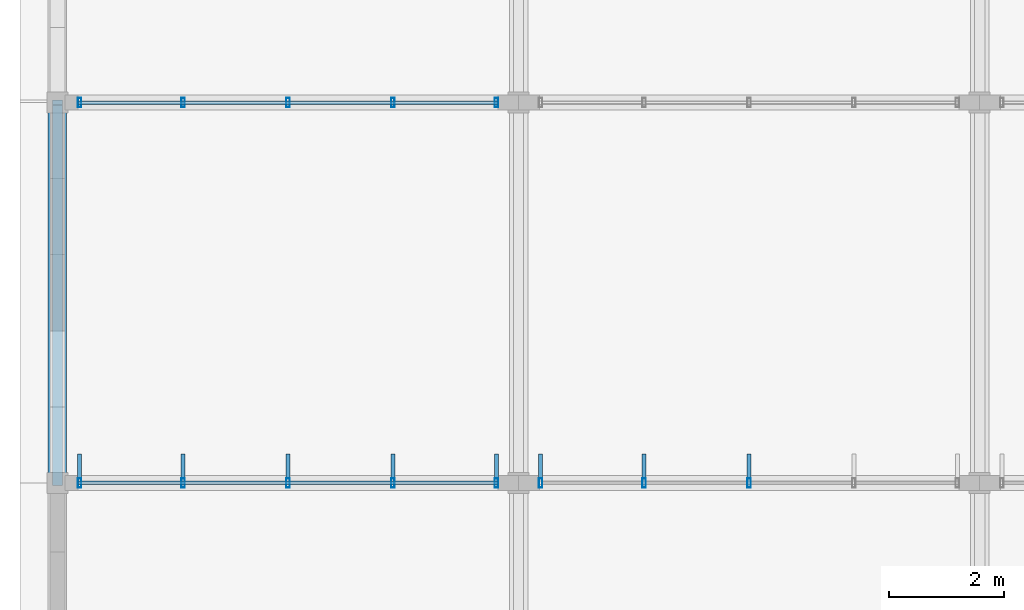
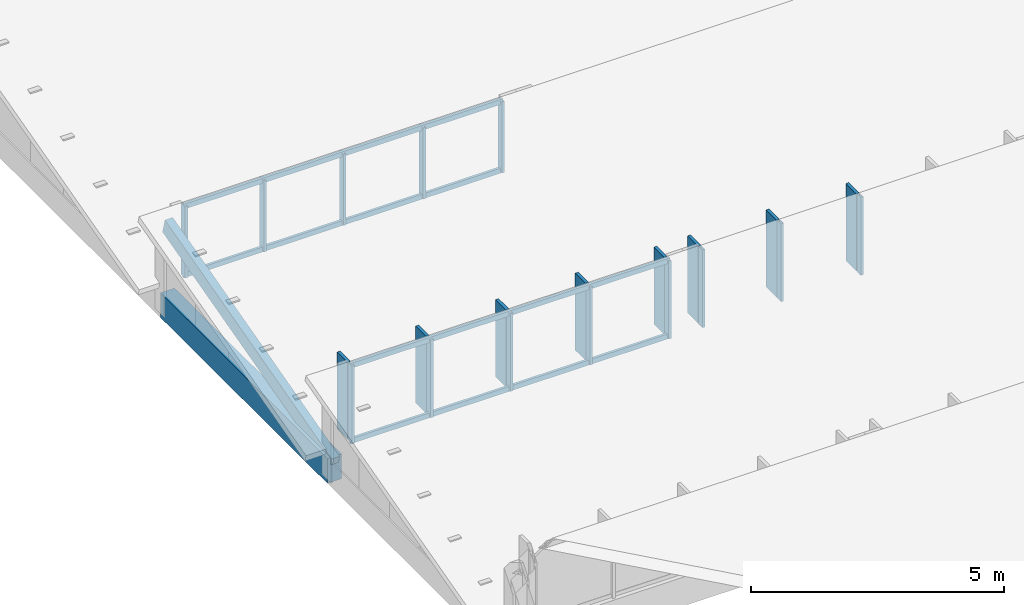
# One storey, part 12 of 94: 27 members, 3 elements without a shape of their own.
"""IFC4 building model written with IfcOpenShell, lengths in metres."""

from ifc_helpers import new_model, si_unit, direction, frame, origin, origin_2d, place, context, subcontext, project, spatial, rectangle, hollow_rectangle, extrude, material, material_profile, profile_set, type_object, element, aggregate, save


model = new_model("IFC4")

# Units and contexts
model_context = context("Model", 3, precision=1e-05, world=origin(), true_north=direction((0.0, 1.0)))
body_context = subcontext(model_context, "Body", "Model", "MODEL_VIEW")
ifc_project = project(units=[si_unit("LENGTHUNIT", "METRE"), si_unit("AREAUNIT", "SQUARE_METRE"), si_unit("VOLUMEUNIT", "CUBIC_METRE"), si_unit("PLANEANGLEUNIT", "RADIAN"), si_unit("MASSUNIT", "GRAM", prefix="KILO")], contexts=[model_context])

# Site, building, storey
site_placement = place(None, origin())
site = spatial("IfcSite", under=ifc_project, at=site_placement, CompositionType="ELEMENT")
building_placement = place(site_placement, origin())
building = spatial("IfcBuilding", under=site, at=building_placement, Name="Chiffa Square Polytechnic", CompositionType="ELEMENT")
storey_placement = place(building_placement, frame((0.0, 0.0, 18.0)))
storey = spatial("IfcBuildingStorey", under=building, at=storey_placement, Name="L04", CompositionType="ELEMENT", Elevation=18.0)

# Curtain wall, members
ifc_material_1 = material(Name="Aluminium EN AW-6060 T66 and glulam shading", Category="wood")
curtain_wall_type_1 = type_object("IfcCurtainWallType", Name="CW-VERT-300X380", PredefinedType="USERDEFINED", material=ifc_material_1)
curtain_wall_1_placement = place(storey_placement, origin())
curtain_wall_1 = element("IfcCurtainWall", 1, at=curtain_wall_1_placement, inside=storey, type_object=curtain_wall_type_1, Name="Curtain wall CW-V6-SAW2-1", ObjectType="CURTAIN WALL", PredefinedType="USERDEFINED")
ifc_material_2 = material(Name="Aluminium EN AW-6060 T66", Category="aluminium")
ifc_material_profile_1 = material_profile(ifc_material_2, hollow_rectangle(XDim=0.06005859375, YDim=0.159912109375, WallThickness=0.00390625, at=origin_2d()), Name="ALU 60x160x4")
ifc_profile_set_1 = profile_set([ifc_material_profile_1], Name="Aluminium EN AW-6060 T66")
member_type_1 = type_object("IfcMemberType", Name="CWM-ALU-65X150", PredefinedType="MULLION", material=ifc_profile_set_1)
member_1_placement = place(storey_placement, frame((7.614990234375, 51.0, 0.699951171875), z_axis=(0.0, 0.0, 1.0), x_axis=(1.0, 0.0, 0.0)))
member_1 = element("IfcMember", 2, at=member_1_placement, type_object=member_type_1, Name="Curtain wall mullion CW-V6-SAW2-1-M00", PredefinedType="MULLION", context=body_context, shape_type="SweptSolid", body=[
    extrude(hollow_rectangle(XDim=0.06005859375, YDim=0.159912109375, WallThickness=0.00390625, at=origin_2d()), origin(), (0.0, 0.0, 1.0), 1.879150390625),
])
member_2_placement = place(storey_placement, frame((5.820068359375, 51.0, 0.699951171875), z_axis=(0.0, 0.0, 1.0), x_axis=(1.0, 0.0, 0.0)))
member_2 = element("IfcMember", 3, at=member_2_placement, type_object=member_type_1, Name="Curtain wall mullion CW-V6-SAW2-1-M01", PredefinedType="MULLION", context=body_context, shape_type="SweptSolid", body=[
    extrude(hollow_rectangle(XDim=0.06005859375, YDim=0.159912109375, WallThickness=0.00390625, at=origin_2d()), origin(), (0.0, 0.0, 1.0), 1.879150390625),
])
member_3_placement = place(storey_placement, frame((4.0, 51.0, 0.699951171875), z_axis=(0.0, 0.0, 1.0), x_axis=(1.0, 0.0, 0.0)))
member_3 = element("IfcMember", 4, at=member_3_placement, type_object=member_type_1, Name="Curtain wall mullion CW-V6-SAW2-1-M02", PredefinedType="MULLION", context=body_context, shape_type="SweptSolid", body=[
    extrude(hollow_rectangle(XDim=0.06005859375, YDim=0.159912109375, WallThickness=0.00390625, at=origin_2d()), origin(), (0.0, 0.0, 1.0), 1.879150390625),
])
member_4_placement = place(storey_placement, frame((2.179931640625, 51.0, 0.699951171875), z_axis=(0.0, 0.0, 1.0), x_axis=(1.0, 0.0, 0.0)))
member_4 = element("IfcMember", 5, at=member_4_placement, type_object=member_type_1, Name="Curtain wall mullion CW-V6-SAW2-1-M03", PredefinedType="MULLION", context=body_context, shape_type="SweptSolid", body=[
    extrude(hollow_rectangle(XDim=0.06005859375, YDim=0.159912109375, WallThickness=0.00390625, at=origin_2d()), origin(), (0.0, 0.0, 1.0), 1.879150390625),
])
member_5_placement = place(storey_placement, frame((0.385009765625, 51.0, 0.699951171875), z_axis=(0.0, 0.0, 1.0), x_axis=(1.0, 0.0, 0.0)))
member_5 = element("IfcMember", 6, at=member_5_placement, type_object=member_type_1, Name="Curtain wall mullion CW-V6-SAW2-1-M04", PredefinedType="MULLION", context=body_context, shape_type="SweptSolid", body=[
    extrude(hollow_rectangle(XDim=0.06005859375, YDim=0.159912109375, WallThickness=0.00390625, at=origin_2d()), origin(), (0.0, 0.0, 1.0), 1.879150390625),
])

curtain_wall_type_2 = type_object("IfcCurtainWallType", Name="CW-VERT-600X380", PredefinedType="USERDEFINED", material=ifc_material_1)
curtain_wall_2_placement = place(storey_placement, origin())
curtain_wall_2 = element("IfcCurtainWall", 7, at=curtain_wall_2_placement, inside=storey, type_object=curtain_wall_type_2, Name="Curtain wall CW-V6-SAW2-2", ObjectType="CURTAIN WALL", PredefinedType="USERDEFINED")
member_6_placement = place(storey_placement, frame((12.0, 51.0, 0.699951171875), z_axis=(0.0, 0.0, 1.0), x_axis=(1.0, 0.0, 0.0)))
member_6 = element("IfcMember", 8, at=member_6_placement, type_object=member_type_1, Name="Curtain wall mullion CW-V6-SAW2-2-M02", PredefinedType="MULLION", context=body_context, shape_type="SweptSolid", body=[
    extrude(hollow_rectangle(XDim=0.06005859375, YDim=0.159912109375, WallThickness=0.00390625, at=origin_2d()), origin(), (0.0, 0.0, 1.0), 1.879150390625),
])
member_7_placement = place(storey_placement, frame((10.179931640625, 51.0, 0.699951171875), z_axis=(0.0, 0.0, 1.0), x_axis=(1.0, 0.0, 0.0)))
member_7 = element("IfcMember", 9, at=member_7_placement, type_object=member_type_1, Name="Curtain wall mullion CW-V6-SAW2-2-M03", PredefinedType="MULLION", context=body_context, shape_type="SweptSolid", body=[
    extrude(hollow_rectangle(XDim=0.06005859375, YDim=0.159912109375, WallThickness=0.00390625, at=origin_2d()), origin(), (0.0, 0.0, 1.0), 1.879150390625),
])
member_8_placement = place(storey_placement, frame((8.385009765625, 51.0, 0.699951171875), z_axis=(0.0, 0.0, 1.0), x_axis=(1.0, 0.0, 0.0)))
member_8 = element("IfcMember", 10, at=member_8_placement, type_object=member_type_1, Name="Curtain wall mullion CW-V6-SAW2-2-M04", PredefinedType="MULLION", context=body_context, shape_type="SweptSolid", body=[
    extrude(hollow_rectangle(XDim=0.06005859375, YDim=0.159912109375, WallThickness=0.00390625, at=origin_2d()), origin(), (0.0, 0.0, 1.0), 1.879150390625),
])

curtain_wall_3_placement = place(storey_placement, origin())
curtain_wall_3 = element("IfcCurtainWall", 11, at=curtain_wall_3_placement, inside=storey, type_object=curtain_wall_type_2, Name="Curtain wall CW-V6-SAW3-1", ObjectType="CURTAIN WALL", PredefinedType="USERDEFINED")
member_9_placement = place(storey_placement, frame((7.614990234375, 57.60009765625, 0.699951171875), z_axis=(0.0, 0.0, 1.0), x_axis=(1.0, 0.0, 0.0)))
member_9 = element("IfcMember", 12, at=member_9_placement, type_object=member_type_1, Name="Curtain wall mullion CW-V6-SAW3-1-M00", PredefinedType="MULLION", context=body_context, shape_type="SweptSolid", body=[
    extrude(hollow_rectangle(XDim=0.06005859375, YDim=0.159912109375, WallThickness=0.00390625, at=origin_2d()), origin(), (0.0, 0.0, 1.0), 1.718017578125),
])
member_10_placement = place(storey_placement, frame((5.820068359375, 57.60009765625, 0.699951171875), z_axis=(0.0, 0.0, 1.0), x_axis=(1.0, 0.0, 0.0)))
member_10 = element("IfcMember", 13, at=member_10_placement, type_object=member_type_1, Name="Curtain wall mullion CW-V6-SAW3-1-M01", PredefinedType="MULLION", context=body_context, shape_type="SweptSolid", body=[
    extrude(hollow_rectangle(XDim=0.06005859375, YDim=0.159912109375, WallThickness=0.00390625, at=origin_2d()), origin(), (0.0, 0.0, 1.0), 1.718017578125),
])
member_11_placement = place(storey_placement, frame((4.0, 57.60009765625, 0.699951171875), z_axis=(0.0, 0.0, 1.0), x_axis=(1.0, 0.0, 0.0)))
member_11 = element("IfcMember", 14, at=member_11_placement, type_object=member_type_1, Name="Curtain wall mullion CW-V6-SAW3-1-M02", PredefinedType="MULLION", context=body_context, shape_type="SweptSolid", body=[
    extrude(hollow_rectangle(XDim=0.06005859375, YDim=0.159912109375, WallThickness=0.00390625, at=origin_2d()), origin(), (0.0, 0.0, 1.0), 1.718017578125),
])
member_12_placement = place(storey_placement, frame((2.179931640625, 57.60009765625, 0.699951171875), z_axis=(0.0, 0.0, 1.0), x_axis=(1.0, 0.0, 0.0)))
member_12 = element("IfcMember", 15, at=member_12_placement, type_object=member_type_1, Name="Curtain wall mullion CW-V6-SAW3-1-M03", PredefinedType="MULLION", context=body_context, shape_type="SweptSolid", body=[
    extrude(hollow_rectangle(XDim=0.06005859375, YDim=0.159912109375, WallThickness=0.00390625, at=origin_2d()), origin(), (0.0, 0.0, 1.0), 1.718017578125),
])
member_13_placement = place(storey_placement, frame((0.385009765625, 57.60009765625, 0.699951171875), z_axis=(0.0, 0.0, 1.0), x_axis=(1.0, 0.0, 0.0)))
member_13 = element("IfcMember", 16, at=member_13_placement, type_object=member_type_1, Name="Curtain wall mullion CW-V6-SAW3-1-M04", PredefinedType="MULLION", context=body_context, shape_type="SweptSolid", body=[
    extrude(hollow_rectangle(XDim=0.06005859375, YDim=0.159912109375, WallThickness=0.00390625, at=origin_2d()), origin(), (0.0, 0.0, 1.0), 1.718017578125),
])

# Member
ifc_material_3 = material(Name="Glulam GL28h", Category="wood")
ifc_material_profile_2 = material_profile(ifc_material_3, rectangle(XDim=0.070068359375, YDim=0.419921875, at=origin_2d()), Name="GL28h 70x420")
ifc_profile_set_2 = profile_set([ifc_material_profile_2], Name="Glulam GL28h")
member_type_2 = type_object("IfcMemberType", Name="CWM-GL-70X420", PredefinedType="MULLION", material=ifc_profile_set_2)
member_14_placement = place(storey_placement, frame((7.614990234375, 51.2919921875, 0.7099609375), z_axis=(0.0, 0.0, 1.0), x_axis=(-1.0, 0.0, 0.0)))
member_14 = element("IfcMember", 17, at=member_14_placement, type_object=member_type_2, Name="Exterior glulam solar fin CW-V6-SAW2-1-FN00", PredefinedType="MULLION", context=body_context, shape_type="SweptSolid", body=[
    extrude(rectangle(XDim=0.070068359375, YDim=0.419921875, at=origin_2d()), origin(), (0.0, 0.0, 1.0), 1.859130859375),
])

member_15_placement = place(storey_placement, frame((5.820068359375, 51.2919921875, 0.7099609375), z_axis=(0.0, 0.0, 1.0), x_axis=(-1.0, 0.0, 0.0)))
member_15 = element("IfcMember", 18, at=member_15_placement, type_object=member_type_2, Name="Exterior glulam solar fin CW-V6-SAW2-1-FN01", PredefinedType="MULLION", context=body_context, shape_type="SweptSolid", body=[
    extrude(rectangle(XDim=0.070068359375, YDim=0.419921875, at=origin_2d()), origin(), (0.0, 0.0, 1.0), 1.859130859375),
])

member_16_placement = place(storey_placement, frame((4.0, 51.2919921875, 0.7099609375), z_axis=(0.0, 0.0, 1.0), x_axis=(-1.0, 0.0, 0.0)))
member_16 = element("IfcMember", 19, at=member_16_placement, type_object=member_type_2, Name="Exterior glulam solar fin CW-V6-SAW2-1-FN02", PredefinedType="MULLION", context=body_context, shape_type="SweptSolid", body=[
    extrude(rectangle(XDim=0.070068359375, YDim=0.419921875, at=origin_2d()), origin(), (0.0, 0.0, 1.0), 1.859130859375),
])

member_17_placement = place(storey_placement, frame((2.179931640625, 51.2919921875, 0.7099609375), z_axis=(0.0, 0.0, 1.0), x_axis=(-1.0, 0.0, 0.0)))
member_17 = element("IfcMember", 20, at=member_17_placement, type_object=member_type_2, Name="Exterior glulam solar fin CW-V6-SAW2-1-FN03", PredefinedType="MULLION", context=body_context, shape_type="SweptSolid", body=[
    extrude(rectangle(XDim=0.070068359375, YDim=0.419921875, at=origin_2d()), origin(), (0.0, 0.0, 1.0), 1.859130859375),
])

member_18_placement = place(storey_placement, frame((0.385009765625, 51.2919921875, 0.7099609375), z_axis=(0.0, 0.0, 1.0), x_axis=(-1.0, 0.0, 0.0)))
member_18 = element("IfcMember", 21, at=member_18_placement, type_object=member_type_2, Name="Exterior glulam solar fin CW-V6-SAW2-1-FN04", PredefinedType="MULLION", context=body_context, shape_type="SweptSolid", body=[
    extrude(rectangle(XDim=0.070068359375, YDim=0.419921875, at=origin_2d()), origin(), (0.0, 0.0, 1.0), 1.859130859375),
])

member_19_placement = place(storey_placement, frame((12.0, 51.2919921875, 0.7099609375), z_axis=(0.0, 0.0, 1.0), x_axis=(-1.0, 0.0, 0.0)))
member_19 = element("IfcMember", 22, at=member_19_placement, type_object=member_type_2, Name="Exterior glulam solar fin CW-V6-SAW2-2-FN02", PredefinedType="MULLION", context=body_context, shape_type="SweptSolid", body=[
    extrude(rectangle(XDim=0.070068359375, YDim=0.419921875, at=origin_2d()), origin(), (0.0, 0.0, 1.0), 1.859130859375),
])

member_20_placement = place(storey_placement, frame((10.179931640625, 51.2919921875, 0.7099609375), z_axis=(0.0, 0.0, 1.0), x_axis=(-1.0, 0.0, 0.0)))
member_20 = element("IfcMember", 23, at=member_20_placement, type_object=member_type_2, Name="Exterior glulam solar fin CW-V6-SAW2-2-FN03", PredefinedType="MULLION", context=body_context, shape_type="SweptSolid", body=[
    extrude(rectangle(XDim=0.070068359375, YDim=0.419921875, at=origin_2d()), origin(), (0.0, 0.0, 1.0), 1.859130859375),
])

member_21_placement = place(storey_placement, frame((8.385009765625, 51.2919921875, 0.7099609375), z_axis=(0.0, 0.0, 1.0), x_axis=(-1.0, 0.0, 0.0)))
member_21 = element("IfcMember", 24, at=member_21_placement, type_object=member_type_2, Name="Exterior glulam solar fin CW-V6-SAW2-2-FN04", PredefinedType="MULLION", context=body_context, shape_type="SweptSolid", body=[
    extrude(rectangle(XDim=0.070068359375, YDim=0.419921875, at=origin_2d()), origin(), (0.0, 0.0, 1.0), 1.859130859375),
])

aggregate(curtain_wall_2, [member_6, member_19, member_7, member_20, member_8, member_21])

ifc_material_profile_3 = material_profile(ifc_material_2, hollow_rectangle(XDim=0.06005859375, YDim=0.1201171875, WallThickness=0.00390625, at=origin_2d()), Name="ALU 60x120x4")
ifc_profile_set_3 = profile_set([ifc_material_profile_3], Name="Aluminium EN AW-6060 T66")
member_type_3 = type_object("IfcMemberType", Name="CWT-ALU-65X120", PredefinedType="USERDEFINED", material=ifc_profile_set_3)
member_22_placement = place(storey_placement, frame((7.64208984375, 51.0, 0.72998046875), z_axis=(-1.0, 0.0, 0.0), x_axis=(0.0, -1.0, 0.0)))
member_22 = element("IfcMember", 25, at=member_22_placement, type_object=member_type_3, Name="Curtain wall transom CW-V6-SAW2-1-T01", ObjectType="TRANSOM", PredefinedType="USERDEFINED", context=body_context, shape_type="SweptSolid", body=[
    extrude(hollow_rectangle(XDim=0.06005859375, YDim=0.1201171875, WallThickness=0.00390625, at=origin_2d()), origin(), (0.0, 0.0, 1.0), 7.2841796875),
])

member_23_placement = place(storey_placement, frame((7.64208984375, 51.0, 2.549072265625), z_axis=(-1.0, 0.0, 0.0), x_axis=(0.0, -1.0, 0.0)))
member_23 = element("IfcMember", 26, at=member_23_placement, type_object=member_type_3, Name="Curtain wall transom CW-V6-SAW2-1-T02", ObjectType="TRANSOM", PredefinedType="USERDEFINED", context=body_context, shape_type="SweptSolid", body=[
    extrude(hollow_rectangle(XDim=0.06005859375, YDim=0.1201171875, WallThickness=0.00390625, at=origin_2d()), origin(), (0.0, 0.0, 1.0), 7.2841796875),
])

aggregate(curtain_wall_1, [member_1, member_14, member_2, member_15, member_3, member_16, member_4, member_17, member_5, member_18, member_22, member_23])

member_24_placement = place(storey_placement, frame((7.64208984375, 57.60009765625, 0.72998046875), z_axis=(-1.0, 0.0, 0.0), x_axis=(0.0, -1.0, 0.0)))
member_24 = element("IfcMember", 27, at=member_24_placement, type_object=member_type_3, Name="Curtain wall transom CW-V6-SAW3-1-T01", ObjectType="TRANSOM", PredefinedType="USERDEFINED", context=body_context, shape_type="SweptSolid", body=[
    extrude(hollow_rectangle(XDim=0.06005859375, YDim=0.1201171875, WallThickness=0.00390625, at=origin_2d()), origin(), (0.0, 0.0, 1.0), 7.2841796875),
])

member_25_placement = place(storey_placement, frame((7.64208984375, 57.60009765625, 2.387939453125), z_axis=(-1.0, 0.0, 0.0), x_axis=(0.0, -1.0, 0.0)))
member_25 = element("IfcMember", 28, at=member_25_placement, type_object=member_type_3, Name="Curtain wall transom CW-V6-SAW3-1-T02", ObjectType="TRANSOM", PredefinedType="USERDEFINED", context=body_context, shape_type="SweptSolid", body=[
    extrude(hollow_rectangle(XDim=0.06005859375, YDim=0.1201171875, WallThickness=0.00390625, at=origin_2d()), origin(), (0.0, 0.0, 1.0), 7.2841796875),
])

aggregate(curtain_wall_3, [member_9, member_10, member_11, member_12, member_13, member_24, member_25])

# Members
ifc_material_4 = material(Name="Glulam GL32c", Category="wood")
ifc_material_profile_4 = material_profile(ifc_material_4, rectangle(XDim=0.320068359375, YDim=0.60009765625, at=origin_2d()), Name="GL32c 320x600")
ifc_profile_set_4 = profile_set([ifc_material_profile_4], Name="Glulam GL32c")
member_type_4 = type_object("IfcMemberType", Name="MEM-CHORD-GL320", PredefinedType="CHORD", material=ifc_profile_set_4)
member_26_placement = place(storey_placement, frame((0.0, 51.0, 0.179931640625), z_axis=(0.0, 1.0, 0.0), x_axis=(-1.0, 0.0, 0.0)))
element("IfcMember", 29, at=member_26_placement, inside=storey, type_object=member_type_4, Name="Studio sawtooth tie chord TCB-V6-SAW-011", PredefinedType="CHORD", context=body_context, shape_type="SweptSolid", body=[
    extrude(rectangle(XDim=0.320068359375, YDim=0.60009765625, at=origin_2d()), origin(), (0.0, 0.0, 1.0), 6.60009765625),
])
ifc_material_profile_5 = material_profile(ifc_material_3, rectangle(XDim=0.179931640625, YDim=0.360107421875, at=origin_2d()), Name="GL28h 180x360")
ifc_profile_set_5 = profile_set([ifc_material_profile_5], Name="Glulam GL28h")
member_type_5 = type_object("IfcMemberType", Name="MEM-RFT-GL180", PredefinedType="RAFTER", material=ifc_profile_set_5)
member_27_placement = place(storey_placement, frame((0.0, 51.0, 0.300048828125), z_axis=(0.0, 0.965941353683, 0.258761089124), x_axis=(-1.0, 0.0, 0.0)))
element("IfcMember", 30, at=member_27_placement, inside=storey, type_object=member_type_5, Name="Studio sawtooth glulam rafter RF-V6-L04-011", PredefinedType="RAFTER", context=body_context, shape_type="SweptSolid", body=[
    extrude(rectangle(XDim=0.179931640625, YDim=0.360107421875, at=origin_2d()), origin(), (0.0, 0.0, 1.0), 6.832763671875),
])

save(model, "model.ifc")
